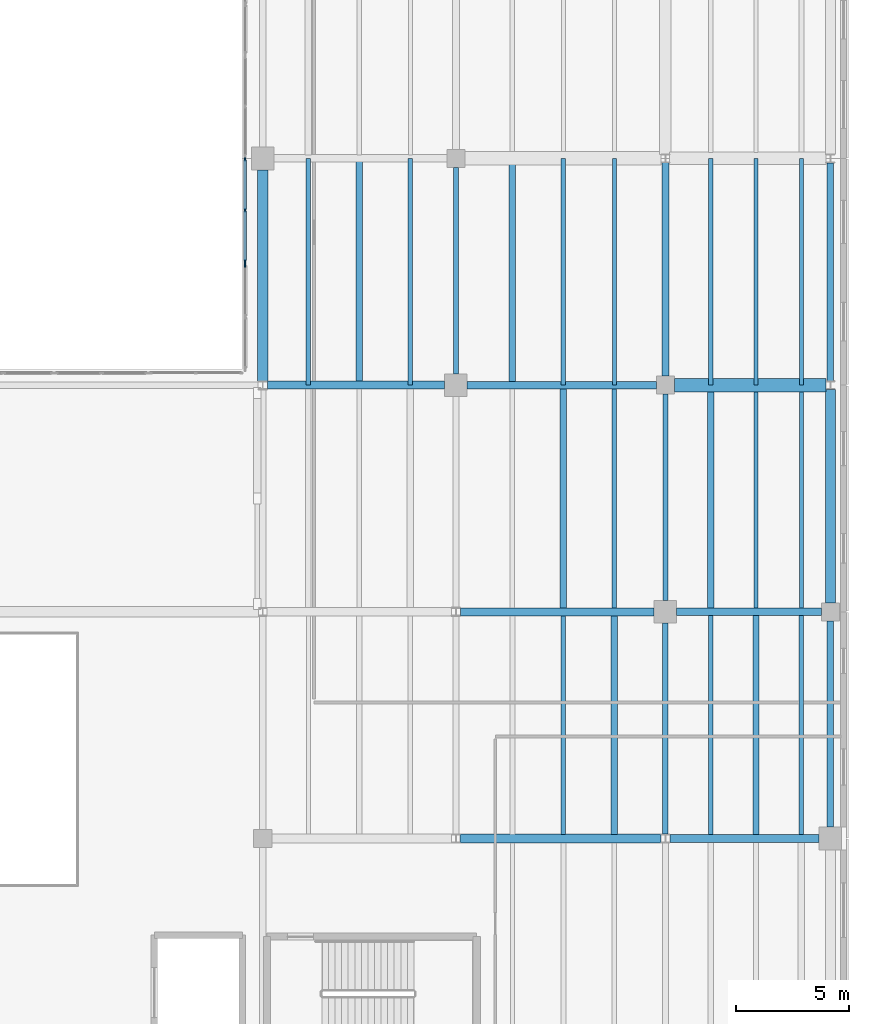
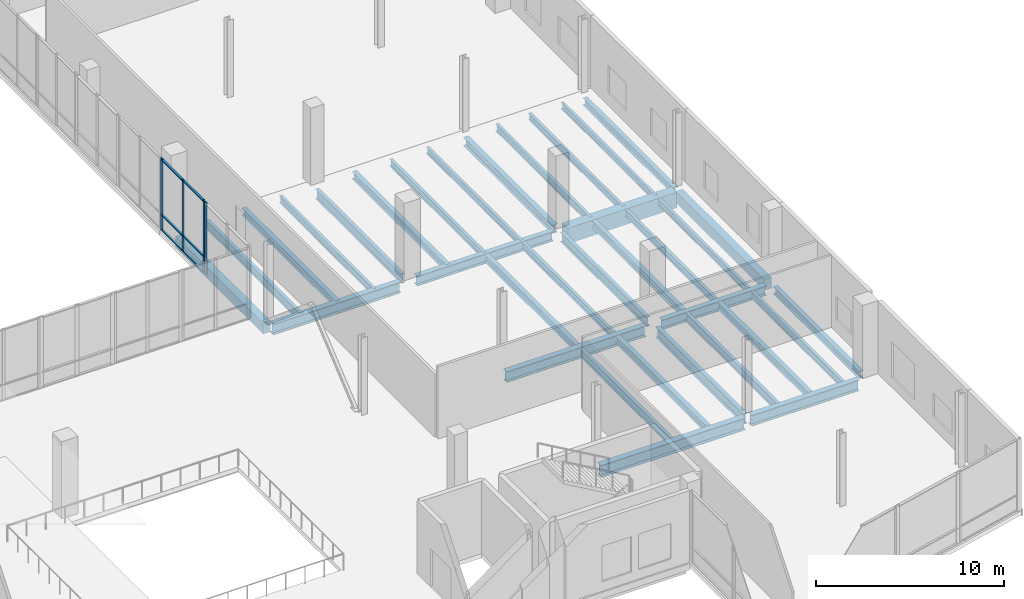
# One storey, part 45 of 81: 34 beams, 10 members, 2 elements without a shape of their own.
"""IFC4 building model written with IfcOpenShell, lengths in metres."""

from ifc_helpers import new_model, si_unit, direction, frame, origin, origin_2d, place, context, subcontext, project, spatial, rectangle, i_section, extrude, material, material_profile, profile_set, type_object, element, aggregate, save


model = new_model("IFC4")

# Units and contexts
model_context = context("Model", 3, precision=1e-05, world=origin(), true_north=direction((0.0, 1.0)))
body_context = subcontext(model_context, "Body", "Model", "MODEL_VIEW")
ifc_project = project(units=[si_unit("LENGTHUNIT", "METRE"), si_unit("AREAUNIT", "SQUARE_METRE"), si_unit("VOLUMEUNIT", "CUBIC_METRE"), si_unit("PLANEANGLEUNIT", "RADIAN"), si_unit("MASSUNIT", "GRAM", prefix="KILO")], contexts=[model_context])

# Site, building, storey
site_placement = place(None, origin())
site = spatial("IfcSite", under=ifc_project, at=site_placement, CompositionType="ELEMENT")
building_placement = place(site_placement, origin())
building = spatial("IfcBuilding", under=site, at=building_placement, Name="Trimount Lyric Opera House", CompositionType="ELEMENT")
storey_placement = place(building_placement, frame((0.0, 0.0, 5.0)))
storey = spatial("IfcBuildingStorey", under=building, at=storey_placement, Name="L01", CompositionType="ELEMENT", Elevation=5.0)

# Beams
ifc_material_1 = material(Name="Steel ASTM A992 Grade 50", Category="steel")
ifc_material_profile_1 = material_profile(ifc_material_1, i_section(OverallWidth=0.382080078125, OverallDepth=0.779052734375, WebThickness=0.01806640625, FlangeThickness=0.0302734375, FilletRadius=0.01904296875, at=origin_2d()), Name="W30X191")
ifc_profile_set_1 = profile_set([ifc_material_profile_1], Name="Steel ASTM A992 Grade 50")
beam_type_1 = type_object("IfcBeamType", Name="B-06", PredefinedType="BEAM", material=ifc_profile_set_1)
beam_1_placement = place(storey_placement, frame((156.946533203125, 54.0, -0.66943359375), z_axis=(1.0, 0.0, 0.0), x_axis=(0.0, 1.0, 0.0)))
element("IfcBeam", 1, at=beam_1_placement, inside=storey, type_object=beam_type_1, Name="L01 girder X-0505", PredefinedType="BEAM", context=body_context, shape_type="SweptSolid", body=[
    extrude(i_section(OverallWidth=0.382080078125, OverallDepth=0.779052734375, WebThickness=0.01806640625, FlangeThickness=0.0302734375, FilletRadius=0.01904296875, at=origin_2d()), origin(), (0.0, 0.0, 1.0), 8.85400390625),
])
ifc_material_2 = material(Name="Steel ASTM A992 Grade 50", Category="steel")
ifc_material_profile_2 = material_profile(ifc_material_2, i_section(OverallWidth=0.35595703125, OverallDepth=0.700927734375, WebThickness=0.016845703125, FlangeThickness=0.02734375, FilletRadius=0.01806640625, at=origin_2d()), Name="W27X161")
ifc_profile_set_2 = profile_set([ifc_material_profile_2], Name="Steel ASTM A992 Grade 50")
beam_type_2 = type_object("IfcBeamType", Name="B-08", PredefinedType="BEAM", material=ifc_profile_set_2)
beam_2_placement = place(storey_placement, frame((166.199462890625, 54.0, -0.630615234375), z_axis=(1.0, 0.0, 0.0), x_axis=(0.0, 1.0, 0.0)))
element("IfcBeam", 2, at=beam_2_placement, inside=storey, type_object=beam_type_2, Name="L01 girder X-0506", PredefinedType="BEAM", context=body_context, shape_type="SweptSolid", body=[
    extrude(i_section(OverallWidth=0.35595703125, OverallDepth=0.700927734375, WebThickness=0.016845703125, FlangeThickness=0.02734375, FilletRadius=0.01806640625, at=origin_2d()), origin(), (0.0, 0.0, 1.0), 6.58056640625),
])
beam_3_placement = place(storey_placement, frame((156.95947265625, 64.0, -0.630615234375), z_axis=(1.0, 0.0, 0.0), x_axis=(0.0, 1.0, 0.0)))
element("IfcBeam", 3, at=beam_3_placement, inside=storey, type_object=beam_type_2, Name="L01 girder X-0518", PredefinedType="BEAM", context=body_context, shape_type="SweptSolid", body=[
    extrude(i_section(OverallWidth=0.35595703125, OverallDepth=0.700927734375, WebThickness=0.016845703125, FlangeThickness=0.02734375, FilletRadius=0.01806640625, at=origin_2d()), origin(), (0.0, 0.0, 1.0), 8.54052734375),
])
beam_4_placement = place(storey_placement, frame((148.439453125, 74.0, -0.630615234375), z_axis=(1.0, 0.0, 0.0), x_axis=(0.0, 1.0, 0.0)))
element("IfcBeam", 4, at=beam_4_placement, inside=storey, type_object=beam_type_2, Name="L01 girder X-0530", PredefinedType="BEAM", context=body_context, shape_type="SweptSolid", body=[
    extrude(i_section(OverallWidth=0.35595703125, OverallDepth=0.700927734375, WebThickness=0.016845703125, FlangeThickness=0.02734375, FilletRadius=0.01806640625, at=origin_2d()), origin(), (0.0, 0.0, 1.0), 7.820556640625),
])
ifc_material_3 = material(Name="Steel ASTM A992 Grade 50", Category="steel")
ifc_material_profile_3 = material_profile(ifc_material_3, i_section(OverallWidth=0.25390625, OverallDepth=0.68798828125, WebThickness=0.01318359375, FlangeThickness=0.02099609375, FilletRadius=0.01611328125, at=origin_2d()), Name="W27X102")
ifc_profile_set_3 = profile_set([ifc_material_profile_3], Name="Steel ASTM A992 Grade 50")
beam_type_3 = type_object("IfcBeamType", Name="B-09", PredefinedType="BEAM", material=ifc_profile_set_3)
beam_5_placement = place(storey_placement, frame((166.0, 54.193115234375, -0.6240234375), z_axis=(0.0, 1.0, 0.0), x_axis=(-1.0, 0.0, 0.0)))
element("IfcBeam", 5, at=beam_5_placement, inside=storey, type_object=beam_type_3, Name="L01 girder Y-0699", PredefinedType="BEAM", context=body_context, shape_type="SweptSolid", body=[
    extrude(i_section(OverallWidth=0.25390625, OverallDepth=0.68798828125, WebThickness=0.01318359375, FlangeThickness=0.02099609375, FilletRadius=0.01611328125, at=origin_2d()), origin(), (0.0, 0.0, 1.0), 9.306884765625),
])
ifc_material_4 = material(Name="Steel ASTM A992 Grade 50", Category="steel")
ifc_material_profile_4 = material_profile(ifc_material_4, i_section(OverallWidth=0.327880859375, OverallDepth=0.626953125, WebThickness=0.0166015625, FlangeThickness=0.027587890625, FilletRadius=0.01611328125, at=origin_2d()), Name="W24X146")
ifc_profile_set_4 = profile_set([ifc_material_profile_4], Name="Steel ASTM A992 Grade 50")
beam_type_4 = type_object("IfcBeamType", Name="B-10", PredefinedType="BEAM", material=ifc_profile_set_4)
beam_6_placement = place(storey_placement, frame((166.5, 64.0, -0.593505859375), z_axis=(1.0, 0.0, 0.0), x_axis=(0.0, 1.0, 0.0)))
element("IfcBeam", 6, at=beam_6_placement, inside=storey, type_object=beam_type_4, Name="L01 girder X-0519", PredefinedType="BEAM", context=body_context, shape_type="SweptSolid", body=[
    extrude(i_section(OverallWidth=0.327880859375, OverallDepth=0.626953125, WebThickness=0.0166015625, FlangeThickness=0.027587890625, FilletRadius=0.01611328125, at=origin_2d()), origin(), (0.0, 0.0, 1.0), 6.3798828125),
])
beam_7_placement = place(storey_placement, frame((157.260009765625, 74.0, -0.593505859375), z_axis=(1.0, 0.0, 0.0), x_axis=(0.0, 1.0, 0.0)))
element("IfcBeam", 7, at=beam_7_placement, inside=storey, type_object=beam_type_4, Name="L01 girder X-0531", PredefinedType="BEAM", context=body_context, shape_type="SweptSolid", body=[
    extrude(i_section(OverallWidth=0.327880859375, OverallDepth=0.626953125, WebThickness=0.0166015625, FlangeThickness=0.027587890625, FilletRadius=0.01611328125, at=origin_2d()), origin(), (0.0, 0.0, 1.0), 8.340087890625),
])
ifc_material_5 = material(Name="Steel ASTM A992 Grade 50", Category="steel")
ifc_material_profile_5 = material_profile(ifc_material_5, i_section(OverallWidth=0.22998046875, OverallDepth=0.616943359375, WebThickness=0.01318359375, FlangeThickness=0.022216796875, FilletRadius=0.013916015625, at=origin_2d()), Name="W24X94")
ifc_profile_set_5 = profile_set([ifc_material_profile_5], Name="Steel ASTM A992 Grade 50")
beam_type_5 = type_object("IfcBeamType", Name="B-11", PredefinedType="BEAM", material=ifc_profile_set_5)
for number, where, z_axis, x_axis, name in (
    (8, (156.760009765625, 74.5, -0.618408203125), (0.0, 1.0, 0.0), (-1.0, 0.0, 0.0), "L01 girder Y-0693"),
    (9, (166.0, 64.5, -0.58837890625), (0.0, 1.0, 0.0), (-1.0, 0.0, 0.0), "L01 girder Y-0700"),
):
    element("IfcBeam", number, at=place(storey_placement, frame(where, z_axis=z_axis, x_axis=x_axis)), inside=storey, type_object=beam_type_5, Name=name, PredefinedType="BEAM", context=body_context, shape_type="SweptSolid", body=[
        extrude(i_section(OverallWidth=0.22998046875, OverallDepth=0.616943359375, WebThickness=0.01318359375, FlangeThickness=0.022216796875, FilletRadius=0.013916015625, at=origin_2d()), origin(), (0.0, 0.0, 1.0), 9.10009765625),
    ])
ifc_material_6 = material(Name="Steel ASTM A992 Grade 50", Category="steel")
ifc_material_profile_6 = material_profile(ifc_material_6, i_section(OverallWidth=0.31201171875, OverallDepth=0.5458984375, WebThickness=0.013916015625, FlangeThickness=0.022216796875, FilletRadius=0.014892578125, at=origin_2d()), Name="W21X111")
ifc_profile_set_6 = profile_set([ifc_material_profile_6], Name="Steel ASTM A992 Grade 50")
beam_type_6 = type_object("IfcBeamType", Name="B-12", PredefinedType="BEAM", material=ifc_profile_set_6)
beam_8_placement = place(storey_placement, frame((166.0, 74.39990234375, -0.5830078125), z_axis=(0.0, 1.0, 0.0), x_axis=(-1.0, 0.0, 0.0)))
element("IfcBeam", 10, at=beam_8_placement, inside=storey, type_object=beam_type_6, Name="L01 girder Y-0701", PredefinedType="BEAM", context=body_context, shape_type="SweptSolid", body=[
    extrude(i_section(OverallWidth=0.31201171875, OverallDepth=0.5458984375, WebThickness=0.013916015625, FlangeThickness=0.022216796875, FilletRadius=0.014892578125, at=origin_2d()), origin(), (0.0, 0.0, 1.0), 9.416015625),
])
ifc_material_7 = material(Name="Concrete C40/50", Category="concrete")
ifc_material_profile_7 = material_profile(ifc_material_7, rectangle(XDim=0.60009765625, YDim=1.0, at=origin_2d()), Name="RC600X1000")
ifc_profile_set_7 = profile_set([ifc_material_profile_7], Name="Concrete C40/50")
beam_type_7 = type_object("IfcBeamType", Name="B-13", PredefinedType="BEAM", material=ifc_profile_set_7)
beam_9_placement = place(storey_placement, frame((166.39990234375, 74.0, -0.780029296875), z_axis=(1.0, 0.0, 0.0), x_axis=(0.0, 1.0, 0.0)))
element("IfcBeam", 11, at=beam_9_placement, inside=storey, type_object=beam_type_7, Name="L01 girder X-0532", PredefinedType="BEAM", context=body_context, shape_type="SweptSolid", body=[
    extrude(rectangle(XDim=0.60009765625, YDim=1.0, at=origin_2d()), origin(), (0.0, 0.0, 1.0), 6.693603515625),
])
ifc_material_8 = material(Name="Steel ASTM A992 Grade 50", Category="steel")
ifc_material_profile_8 = material_profile(ifc_material_8, i_section(OverallWidth=0.2099609375, OverallDepth=0.532958984375, WebThickness=0.01025390625, FlangeThickness=0.015625, FilletRadius=0.012939453125, at=origin_2d()), Name="W21X62")
ifc_profile_set_8 = profile_set([ifc_material_profile_8], Name="Steel ASTM A992 Grade 50")
beam_type_8 = type_object("IfcBeamType", Name="J-02", PredefinedType="BEAM", material=ifc_profile_set_8)
beam_10_placement = place(storey_placement, frame((150.25, 74.011962890625, -0.54638671875), z_axis=(0.0, 1.0, 0.0), x_axis=(-1.0, 0.0, 0.0)))
element("IfcBeam", 12, at=beam_10_placement, inside=storey, type_object=beam_type_8, Name="L01 composite floor joist 0740", PredefinedType="BEAM", context=body_context, shape_type="SweptSolid", body=[
    extrude(i_section(OverallWidth=0.2099609375, OverallDepth=0.532958984375, WebThickness=0.01025390625, FlangeThickness=0.015625, FilletRadius=0.012939453125, at=origin_2d()), origin(), (0.0, 0.0, 1.0), 9.97607421875),
])
beam_11_placement = place(storey_placement, frame((161.5, 54.18701171875, -0.54638671875), z_axis=(0.0, 1.0, 0.0), x_axis=(-1.0, 0.0, 0.0)))
element("IfcBeam", 13, at=beam_11_placement, inside=storey, type_object=beam_type_8, Name="L01 composite floor joist 0759", PredefinedType="BEAM", context=body_context, shape_type="SweptSolid", body=[
    extrude(i_section(OverallWidth=0.2099609375, OverallDepth=0.532958984375, WebThickness=0.01025390625, FlangeThickness=0.015625, FilletRadius=0.012939453125, at=origin_2d()), origin(), (0.0, 0.0, 1.0), 9.638916015625),
])
beam_12_placement = place(storey_placement, frame((168.0, 54.174072265625, -0.54638671875), z_axis=(0.0, 1.0, 0.0), x_axis=(-1.0, 0.0, 0.0)))
element("IfcBeam", 14, at=beam_12_placement, inside=storey, type_object=beam_type_8, Name="L01 composite floor joist 0782", PredefinedType="BEAM", context=body_context, shape_type="SweptSolid", body=[
    extrude(i_section(OverallWidth=0.2099609375, OverallDepth=0.532958984375, WebThickness=0.01025390625, FlangeThickness=0.015625, FilletRadius=0.012939453125, at=origin_2d()), origin(), (0.0, 0.0, 1.0), 9.666015625),
])
ifc_material_9 = material(Name="Steel ASTM A992 Grade 50", Category="steel")
ifc_material_profile_9 = material_profile(ifc_material_9, i_section(OverallWidth=0.281982421875, OverallDepth=0.467041015625, WebThickness=0.01220703125, FlangeThickness=0.01953125, FilletRadius=0.012939453125, at=origin_2d()), Name="W18X86")
ifc_profile_set_9 = profile_set([ifc_material_profile_9], Name="Steel ASTM A992 Grade 50")
beam_type_9 = type_object("IfcBeamType", Name="J-03", PredefinedType="BEAM", material=ifc_profile_set_9)
beam_13_placement = place(storey_placement, frame((152.5, 74.011962890625, -0.513427734375), z_axis=(0.0, 1.0, 0.0), x_axis=(-1.0, 0.0, 0.0)))
element("IfcBeam", 15, at=beam_13_placement, inside=storey, type_object=beam_type_9, Name="L01 composite floor joist 0741", PredefinedType="BEAM", context=body_context, shape_type="SweptSolid", body=[
    extrude(i_section(OverallWidth=0.281982421875, OverallDepth=0.467041015625, WebThickness=0.01220703125, FlangeThickness=0.01953125, FilletRadius=0.012939453125, at=origin_2d()), origin(), (0.0, 0.0, 1.0), 9.97607421875),
])
beam_14_placement = place(storey_placement, frame((163.75, 54.18701171875, -0.513427734375), z_axis=(0.0, 1.0, 0.0), x_axis=(-1.0, 0.0, 0.0)))
element("IfcBeam", 16, at=beam_14_placement, inside=storey, type_object=beam_type_9, Name="L01 composite floor joist 0760", PredefinedType="BEAM", context=body_context, shape_type="SweptSolid", body=[
    extrude(i_section(OverallWidth=0.281982421875, OverallDepth=0.467041015625, WebThickness=0.01220703125, FlangeThickness=0.01953125, FilletRadius=0.012939453125, at=origin_2d()), origin(), (0.0, 0.0, 1.0), 9.638916015625),
])
beam_15_placement = place(storey_placement, frame((161.5, 64.174072265625, -0.513427734375), z_axis=(0.0, 1.0, 0.0), x_axis=(-1.0, 0.0, 0.0)))
element("IfcBeam", 17, at=beam_15_placement, inside=storey, type_object=beam_type_9, Name="L01 composite floor joist 0762", PredefinedType="BEAM", context=body_context, shape_type="SweptSolid", body=[
    extrude(i_section(OverallWidth=0.281982421875, OverallDepth=0.467041015625, WebThickness=0.01220703125, FlangeThickness=0.01953125, FilletRadius=0.012939453125, at=origin_2d()), origin(), (0.0, 0.0, 1.0), 9.666015625),
])
beam_16_placement = place(storey_placement, frame((159.25, 74.011962890625, -0.513427734375), z_axis=(0.0, 1.0, 0.0), x_axis=(-1.0, 0.0, 0.0)))
element("IfcBeam", 18, at=beam_16_placement, inside=storey, type_object=beam_type_9, Name="L01 composite floor joist 0764", PredefinedType="BEAM", context=body_context, shape_type="SweptSolid", body=[
    extrude(i_section(OverallWidth=0.281982421875, OverallDepth=0.467041015625, WebThickness=0.01220703125, FlangeThickness=0.01953125, FilletRadius=0.012939453125, at=origin_2d()), origin(), (0.0, 0.0, 1.0), 9.97607421875),
])
beam_17_placement = place(storey_placement, frame((170.0, 54.174072265625, -0.513427734375), z_axis=(0.0, 1.0, 0.0), x_axis=(-1.0, 0.0, 0.0)))
element("IfcBeam", 19, at=beam_17_placement, inside=storey, type_object=beam_type_9, Name="L01 composite floor joist 0783", PredefinedType="BEAM", context=body_context, shape_type="SweptSolid", body=[
    extrude(i_section(OverallWidth=0.281982421875, OverallDepth=0.467041015625, WebThickness=0.01220703125, FlangeThickness=0.01953125, FilletRadius=0.012939453125, at=origin_2d()), origin(), (0.0, 0.0, 1.0), 9.666015625),
])
beam_18_placement = place(storey_placement, frame((168.0, 64.159912109375, -0.513427734375), z_axis=(0.0, 1.0, 0.0), x_axis=(-1.0, 0.0, 0.0)))
element("IfcBeam", 20, at=beam_18_placement, inside=storey, type_object=beam_type_9, Name="L01 composite floor joist 0785", PredefinedType="BEAM", context=body_context, shape_type="SweptSolid", body=[
    extrude(i_section(OverallWidth=0.281982421875, OverallDepth=0.467041015625, WebThickness=0.01220703125, FlangeThickness=0.01953125, FilletRadius=0.012939453125, at=origin_2d()), origin(), (0.0, 0.0, 1.0), 9.544189453125),
])
ifc_material_10 = material(Name="Steel ASTM A992 Grade 50", Category="steel")
ifc_material_profile_10 = material_profile(ifc_material_10, i_section(OverallWidth=0.19091796875, OverallDepth=0.45703125, WebThickness=0.009033203125, FlangeThickness=0.014404296875, FilletRadius=0.010986328125, at=origin_2d()), Name="W18X50")
ifc_profile_set_10 = profile_set([ifc_material_profile_10], Name="Steel ASTM A992 Grade 50")
beam_type_10 = type_object("IfcBeamType", Name="J-04", PredefinedType="BEAM", material=ifc_profile_set_10)
beam_19_placement = place(storey_placement, frame((154.75, 74.011962890625, -0.508544921875), z_axis=(0.0, 1.0, 0.0), x_axis=(-1.0, 0.0, 0.0)))
element("IfcBeam", 21, at=beam_19_placement, inside=storey, type_object=beam_type_10, Name="L01 composite floor joist 0742", PredefinedType="BEAM", context=body_context, shape_type="SweptSolid", body=[
    extrude(i_section(OverallWidth=0.19091796875, OverallDepth=0.45703125, WebThickness=0.009033203125, FlangeThickness=0.014404296875, FilletRadius=0.010986328125, at=origin_2d()), origin(), (0.0, 0.0, 1.0), 9.97607421875),
])
beam_20_placement = place(storey_placement, frame((163.75, 64.174072265625, -0.508544921875), z_axis=(0.0, 1.0, 0.0), x_axis=(-1.0, 0.0, 0.0)))
element("IfcBeam", 22, at=beam_20_placement, inside=storey, type_object=beam_type_10, Name="L01 composite floor joist 0763", PredefinedType="BEAM", context=body_context, shape_type="SweptSolid", body=[
    extrude(i_section(OverallWidth=0.19091796875, OverallDepth=0.45703125, WebThickness=0.009033203125, FlangeThickness=0.014404296875, FilletRadius=0.010986328125, at=origin_2d()), origin(), (0.0, 0.0, 1.0), 9.666015625),
])
beam_21_placement = place(storey_placement, frame((161.5, 74.011962890625, -0.508544921875), z_axis=(0.0, 1.0, 0.0), x_axis=(-1.0, 0.0, 0.0)))
element("IfcBeam", 23, at=beam_21_placement, inside=storey, type_object=beam_type_10, Name="L01 composite floor joist 0765", PredefinedType="BEAM", context=body_context, shape_type="SweptSolid", body=[
    extrude(i_section(OverallWidth=0.19091796875, OverallDepth=0.45703125, WebThickness=0.009033203125, FlangeThickness=0.014404296875, FilletRadius=0.010986328125, at=origin_2d()), origin(), (0.0, 0.0, 1.0), 9.97607421875),
])
beam_22_placement = place(storey_placement, frame((172.0, 54.174072265625, -0.508544921875), z_axis=(0.0, 1.0, 0.0), x_axis=(-1.0, 0.0, 0.0)))
element("IfcBeam", 24, at=beam_22_placement, inside=storey, type_object=beam_type_10, Name="L01 composite floor joist 0784", PredefinedType="BEAM", context=body_context, shape_type="SweptSolid", body=[
    extrude(i_section(OverallWidth=0.19091796875, OverallDepth=0.45703125, WebThickness=0.009033203125, FlangeThickness=0.014404296875, FilletRadius=0.010986328125, at=origin_2d()), origin(), (0.0, 0.0, 1.0), 9.666015625),
])
beam_23_placement = place(storey_placement, frame((170.0, 64.159912109375, -0.508544921875), z_axis=(0.0, 1.0, 0.0), x_axis=(-1.0, 0.0, 0.0)))
element("IfcBeam", 25, at=beam_23_placement, inside=storey, type_object=beam_type_10, Name="L01 composite floor joist 0786", PredefinedType="BEAM", context=body_context, shape_type="SweptSolid", body=[
    extrude(i_section(OverallWidth=0.19091796875, OverallDepth=0.45703125, WebThickness=0.009033203125, FlangeThickness=0.014404296875, FilletRadius=0.010986328125, at=origin_2d()), origin(), (0.0, 0.0, 1.0), 9.544189453125),
])
beam_24_placement = place(storey_placement, frame((168.0, 74.011962890625, -0.508544921875), z_axis=(0.0, 1.0, 0.0), x_axis=(-1.0, 0.0, 0.0)))
element("IfcBeam", 26, at=beam_24_placement, inside=storey, type_object=beam_type_10, Name="L01 composite floor joist 0788", PredefinedType="BEAM", context=body_context, shape_type="SweptSolid", body=[
    extrude(i_section(OverallWidth=0.19091796875, OverallDepth=0.45703125, WebThickness=0.009033203125, FlangeThickness=0.014404296875, FilletRadius=0.010986328125, at=origin_2d()), origin(), (0.0, 0.0, 1.0), 9.97607421875),
])
ifc_material_11 = material(Name="Steel ASTM A992 Grade 50", Category="steel")
ifc_material_profile_11 = material_profile(ifc_material_11, i_section(OverallWidth=0.180908203125, OverallDepth=0.4169921875, WebThickness=0.010986328125, FlangeThickness=0.018310546875, FilletRadius=0.010986328125, at=origin_2d()), Name="W16X57")
ifc_profile_set_11 = profile_set([ifc_material_profile_11], Name="Steel ASTM A992 Grade 50")
beam_type_11 = type_object("IfcBeamType", Name="J-05", PredefinedType="BEAM", material=ifc_profile_set_11)
beam_25_placement = place(storey_placement, frame((163.75, 74.011962890625, -0.488525390625), z_axis=(0.0, 1.0, 0.0), x_axis=(-1.0, 0.0, 0.0)))
element("IfcBeam", 27, at=beam_25_placement, inside=storey, type_object=beam_type_11, Name="L01 composite floor joist 0766", PredefinedType="BEAM", context=body_context, shape_type="SweptSolid", body=[
    extrude(i_section(OverallWidth=0.180908203125, OverallDepth=0.4169921875, WebThickness=0.010986328125, FlangeThickness=0.018310546875, FilletRadius=0.010986328125, at=origin_2d()), origin(), (0.0, 0.0, 1.0), 9.97607421875),
])
beam_26_placement = place(storey_placement, frame((172.0, 64.159912109375, -0.488525390625), z_axis=(0.0, 1.0, 0.0), x_axis=(-1.0, 0.0, 0.0)))
element("IfcBeam", 28, at=beam_26_placement, inside=storey, type_object=beam_type_11, Name="L01 composite floor joist 0787", PredefinedType="BEAM", context=body_context, shape_type="SweptSolid", body=[
    extrude(i_section(OverallWidth=0.180908203125, OverallDepth=0.4169921875, WebThickness=0.010986328125, FlangeThickness=0.018310546875, FilletRadius=0.010986328125, at=origin_2d()), origin(), (0.0, 0.0, 1.0), 9.544189453125),
])
beam_27_placement = place(storey_placement, frame((170.0, 74.011962890625, -0.488525390625), z_axis=(0.0, 1.0, 0.0), x_axis=(-1.0, 0.0, 0.0)))
element("IfcBeam", 29, at=beam_27_placement, inside=storey, type_object=beam_type_11, Name="L01 composite floor joist 0789", PredefinedType="BEAM", context=body_context, shape_type="SweptSolid", body=[
    extrude(i_section(OverallWidth=0.180908203125, OverallDepth=0.4169921875, WebThickness=0.010986328125, FlangeThickness=0.018310546875, FilletRadius=0.010986328125, at=origin_2d()), origin(), (0.0, 0.0, 1.0), 9.97607421875),
])
ifc_material_12 = material(Name="Steel ASTM A992 Grade 50", Category="steel")
ifc_material_profile_12 = material_profile(ifc_material_12, i_section(OverallWidth=0.177978515625, OverallDepth=0.404052734375, WebThickness=0.007568359375, FlangeThickness=0.010986328125, FilletRadius=0.010009765625, at=origin_2d()), Name="W16X36")
ifc_profile_set_12 = profile_set([ifc_material_profile_12], Name="Steel ASTM A992 Grade 50")
beam_type_12 = type_object("IfcBeamType", Name="J-06", PredefinedType="BEAM", material=ifc_profile_set_12)
beam_28_placement = place(storey_placement, frame((172.0, 74.011962890625, -0.48193359375), z_axis=(0.0, 1.0, 0.0), x_axis=(-1.0, 0.0, 0.0)))
element("IfcBeam", 30, at=beam_28_placement, inside=storey, type_object=beam_type_12, Name="L01 composite floor joist 0790", PredefinedType="BEAM", context=body_context, shape_type="SweptSolid", body=[
    extrude(i_section(OverallWidth=0.177978515625, OverallDepth=0.404052734375, WebThickness=0.007568359375, FlangeThickness=0.010986328125, FilletRadius=0.010009765625, at=origin_2d()), origin(), (0.0, 0.0, 1.0), 9.97607421875),
])

# Curtain wall, member
ifc_material_13 = material(Name="Thermally Broken Aluminium and Low-E Glass", Category="aluminium")
curtain_wall_type = type_object("IfcCurtainWallType", Name="CW-03", PredefinedType="NOTDEFINED", material=ifc_material_13)
curtain_wall_1_placement = place(storey_placement, origin())
curtain_wall_1 = element("IfcCurtainWall", 31, at=curtain_wall_1_placement, inside=storey, type_object=curtain_wall_type, Name="L01 curtain wall 126", PredefinedType="NOTDEFINED")
ifc_material_14 = material(Name="Anodised Aluminium 6063-T6", Category="aluminium")
ifc_material_profile_13 = material_profile(ifc_material_14, rectangle(XDim=0.070068359375, YDim=0.219970703125, at=origin_2d()), Name="ALU-MULL-70X220")
ifc_profile_set_13 = profile_set([ifc_material_profile_13], Name="Anodised Aluminium 6063-T6")
member_type_1 = type_object("IfcMemberType", Name="ML-01", PredefinedType="MULLION", material=ifc_profile_set_13)
member_1_placement = place(storey_placement, frame((147.4599609375, 79.304931640625, 0.0), z_axis=(0.0, 0.0, 1.0), x_axis=(-1.0, 0.0, 0.0)))
member_1 = element("IfcMember", 32, at=member_1_placement, type_object=member_type_1, Name="CW-03 mullion 3", PredefinedType="MULLION", context=body_context, shape_type="SweptSolid", body=[
    extrude(rectangle(XDim=0.070068359375, YDim=0.219970703125, at=origin_2d()), origin(), (0.0, 0.0, 1.0), 4.679931640625),
])
aggregate(curtain_wall_1, [member_1])

# Curtain wall, members
curtain_wall_2_placement = place(storey_placement, origin())
curtain_wall_2 = element("IfcCurtainWall", 33, at=curtain_wall_2_placement, inside=storey, type_object=curtain_wall_type, Name="L01 curtain wall 127", PredefinedType="NOTDEFINED")
ifc_material_15 = material(Name="Anodised Aluminium 6063-T6", Category="aluminium")
ifc_material_profile_14 = material_profile(ifc_material_15, rectangle(XDim=0.06494140625, YDim=0.179931640625, at=origin_2d()), Name="ALU-MULL-65X180")
ifc_profile_set_14 = profile_set([ifc_material_profile_14], Name="Anodised Aluminium 6063-T6")
member_type_2 = type_object("IfcMemberType", Name="ML-02", PredefinedType="MULLION", material=ifc_profile_set_14)
member_2_placement = place(storey_placement, frame((147.4599609375, 79.46240234375, 0.0), z_axis=(0.0, 0.0, 1.0), x_axis=(-1.0, 0.0, 0.0)))
member_2 = element("IfcMember", 34, at=member_2_placement, type_object=member_type_2, Name="CW-03 mullion 1", PredefinedType="MULLION", context=body_context, shape_type="SweptSolid", body=[
    extrude(rectangle(XDim=0.06494140625, YDim=0.179931640625, at=origin_2d()), origin(), (0.0, 0.0, 1.0), 4.679931640625),
])
member_3_placement = place(storey_placement, frame((147.4599609375, 81.715087890625, 0.0), z_axis=(0.0, 0.0, 1.0), x_axis=(-1.0, 0.0, 0.0)))
member_3 = element("IfcMember", 35, at=member_3_placement, type_object=member_type_2, Name="CW-03 mullion 2", PredefinedType="MULLION", context=body_context, shape_type="SweptSolid", body=[
    extrude(rectangle(XDim=0.06494140625, YDim=0.179931640625, at=origin_2d()), origin(), (0.0, 0.0, 1.0), 4.679931640625),
])
member_4_placement = place(storey_placement, frame((147.4599609375, 83.967529296875, 0.0), z_axis=(0.0, 0.0, 1.0), x_axis=(-1.0, 0.0, 0.0)))
member_4 = element("IfcMember", 36, at=member_4_placement, type_object=member_type_2, Name="CW-03 mullion 3", PredefinedType="MULLION", context=body_context, shape_type="SweptSolid", body=[
    extrude(rectangle(XDim=0.06494140625, YDim=0.179931640625, at=origin_2d()), origin(), (0.0, 0.0, 1.0), 4.679931640625),
])

# Beams
ifc_material_16 = material(Name="Steel ASTM A992 Grade 50", Category="steel")
ifc_material_profile_15 = material_profile(ifc_material_16, i_section(OverallWidth=0.281982421875, OverallDepth=0.467041015625, WebThickness=0.01220703125, FlangeThickness=0.01953125, FilletRadius=0.012939453125, at=origin_2d()), Name="W18X86")
ifc_profile_set_15 = profile_set([ifc_material_profile_15], Name="Steel ASTM A992 Grade 50")
beam_type_13 = type_object("IfcBeamType", Name="SP-01", PredefinedType="SPANDREL", material=ifc_profile_set_15)
beam_29_placement = place(storey_placement, frame((173.280029296875, 54.5, -0.513427734375), z_axis=(0.0, 1.0, 0.0), x_axis=(-1.0, 0.0, 0.0)))
element("IfcBeam", 37, at=beam_29_placement, inside=storey, type_object=beam_type_13, Name="L01 girder Y-0707", PredefinedType="SPANDREL", context=body_context, shape_type="SweptSolid", body=[
    extrude(i_section(OverallWidth=0.281982421875, OverallDepth=0.467041015625, WebThickness=0.01220703125, FlangeThickness=0.01953125, FilletRadius=0.012939453125, at=origin_2d()), origin(), (0.0, 0.0, 1.0), 9.10009765625),
])
beam_30_placement = place(storey_placement, frame((173.280029296875, 74.18408203125, -0.54345703125), z_axis=(0.0, 1.0, 0.0), x_axis=(-1.0, 0.0, 0.0)))
element("IfcBeam", 38, at=beam_30_placement, inside=storey, type_object=beam_type_13, Name="L01 girder Y-0709", PredefinedType="SPANDREL", context=body_context, shape_type="SweptSolid", body=[
    extrude(i_section(OverallWidth=0.281982421875, OverallDepth=0.467041015625, WebThickness=0.01220703125, FlangeThickness=0.01953125, FilletRadius=0.012939453125, at=origin_2d()), origin(), (0.0, 0.0, 1.0), 9.622802734375),
])
ifc_material_17 = material(Name="Concrete C40/50", Category="concrete")
ifc_material_profile_16 = material_profile(ifc_material_17, rectangle(XDim=0.449951171875, YDim=0.699951171875, at=origin_2d()), Name="RC450X700")
ifc_profile_set_16 = profile_set([ifc_material_profile_16], Name="Concrete C40/50")
beam_type_14 = type_object("IfcBeamType", Name="SP-02", PredefinedType="SPANDREL", material=ifc_profile_set_16)
beam_31_placement = place(storey_placement, frame((148.239990234375, 74.193115234375, -0.6298828125), z_axis=(0.0, 1.0, 0.0), x_axis=(-1.0, 0.0, 0.0)))
element("IfcBeam", 39, at=beam_31_placement, inside=storey, type_object=beam_type_14, Name="L01 girder Y-0686", PredefinedType="SPANDREL", context=body_context, shape_type="SweptSolid", body=[
    extrude(rectangle(XDim=0.449951171875, YDim=0.699951171875, at=origin_2d()), origin(), (0.0, 0.0, 1.0), 9.306884765625),
])
beam_32_placement = place(storey_placement, frame((173.280029296875, 64.39990234375, -0.6298828125), z_axis=(0.0, 1.0, 0.0), x_axis=(-1.0, 0.0, 0.0)))
element("IfcBeam", 40, at=beam_32_placement, inside=storey, type_object=beam_type_14, Name="L01 girder Y-0708", PredefinedType="SPANDREL", context=body_context, shape_type="SweptSolid", body=[
    extrude(rectangle(XDim=0.449951171875, YDim=0.699951171875, at=origin_2d()), origin(), (0.0, 0.0, 1.0), 9.416015625),
])

# Member
ifc_material_18 = material(Name="Anodised Aluminium 6063-T6", Category="aluminium")
ifc_material_profile_17 = material_profile(ifc_material_18, rectangle(XDim=0.135009765625, YDim=0.06494140625, at=origin_2d()), Name="ALU-TRAN-65X135")
ifc_profile_set_17 = profile_set([ifc_material_profile_17], Name="Anodised Aluminium 6063-T6")
member_type_3 = type_object("IfcMemberType", Name="TR-02", PredefinedType="USERDEFINED", material=ifc_profile_set_17)
member_5_placement = place(storey_placement, frame((147.4599609375, 79.4951171875, 0.0673828125), z_axis=(0.0, 1.0, 0.0), x_axis=(-1.0, 0.0, 0.0)))
member_5 = element("IfcMember", 41, at=member_5_placement, type_object=member_type_3, Name="CW-03 transom 1.1", ObjectType="TRANSOM", PredefinedType="USERDEFINED", context=body_context, shape_type="SweptSolid", body=[
    extrude(rectangle(XDim=0.135009765625, YDim=0.06494140625, at=origin_2d()), origin(), (0.0, 0.0, 1.0), 2.1875),
])

member_6_placement = place(storey_placement, frame((147.4599609375, 79.4951171875, 1.050048828125), z_axis=(0.0, 1.0, 0.0), x_axis=(-1.0, 0.0, 0.0)))
member_6 = element("IfcMember", 42, at=member_6_placement, type_object=member_type_3, Name="CW-03 transom 1.2", ObjectType="TRANSOM", PredefinedType="USERDEFINED", context=body_context, shape_type="SweptSolid", body=[
    extrude(rectangle(XDim=0.135009765625, YDim=0.06494140625, at=origin_2d()), origin(), (0.0, 0.0, 1.0), 2.1875),
])

member_7_placement = place(storey_placement, frame((147.4599609375, 79.4951171875, 4.612548828125), z_axis=(0.0, 1.0, 0.0), x_axis=(-1.0, 0.0, 0.0)))
member_7 = element("IfcMember", 43, at=member_7_placement, type_object=member_type_3, Name="CW-03 transom 1.3", ObjectType="TRANSOM", PredefinedType="USERDEFINED", context=body_context, shape_type="SweptSolid", body=[
    extrude(rectangle(XDim=0.135009765625, YDim=0.06494140625, at=origin_2d()), origin(), (0.0, 0.0, 1.0), 2.1875),
])

member_8_placement = place(storey_placement, frame((147.4599609375, 81.74755859375, 0.0673828125), z_axis=(0.0, 1.0, 0.0), x_axis=(-1.0, 0.0, 0.0)))
member_8 = element("IfcMember", 44, at=member_8_placement, type_object=member_type_3, Name="CW-03 transom 2.1", ObjectType="TRANSOM", PredefinedType="USERDEFINED", context=body_context, shape_type="SweptSolid", body=[
    extrude(rectangle(XDim=0.135009765625, YDim=0.06494140625, at=origin_2d()), origin(), (0.0, 0.0, 1.0), 2.1875),
])

member_9_placement = place(storey_placement, frame((147.4599609375, 81.74755859375, 1.050048828125), z_axis=(0.0, 1.0, 0.0), x_axis=(-1.0, 0.0, 0.0)))
member_9 = element("IfcMember", 45, at=member_9_placement, type_object=member_type_3, Name="CW-03 transom 2.2", ObjectType="TRANSOM", PredefinedType="USERDEFINED", context=body_context, shape_type="SweptSolid", body=[
    extrude(rectangle(XDim=0.135009765625, YDim=0.06494140625, at=origin_2d()), origin(), (0.0, 0.0, 1.0), 2.1875),
])

member_10_placement = place(storey_placement, frame((147.4599609375, 81.74755859375, 4.612548828125), z_axis=(0.0, 1.0, 0.0), x_axis=(-1.0, 0.0, 0.0)))
member_10 = element("IfcMember", 46, at=member_10_placement, type_object=member_type_3, Name="CW-03 transom 2.3", ObjectType="TRANSOM", PredefinedType="USERDEFINED", context=body_context, shape_type="SweptSolid", body=[
    extrude(rectangle(XDim=0.135009765625, YDim=0.06494140625, at=origin_2d()), origin(), (0.0, 0.0, 1.0), 2.1875),
])

aggregate(curtain_wall_2, [member_2, member_3, member_4, member_5, member_6, member_7, member_8, member_9, member_10])

save(model, "model.ifc")
